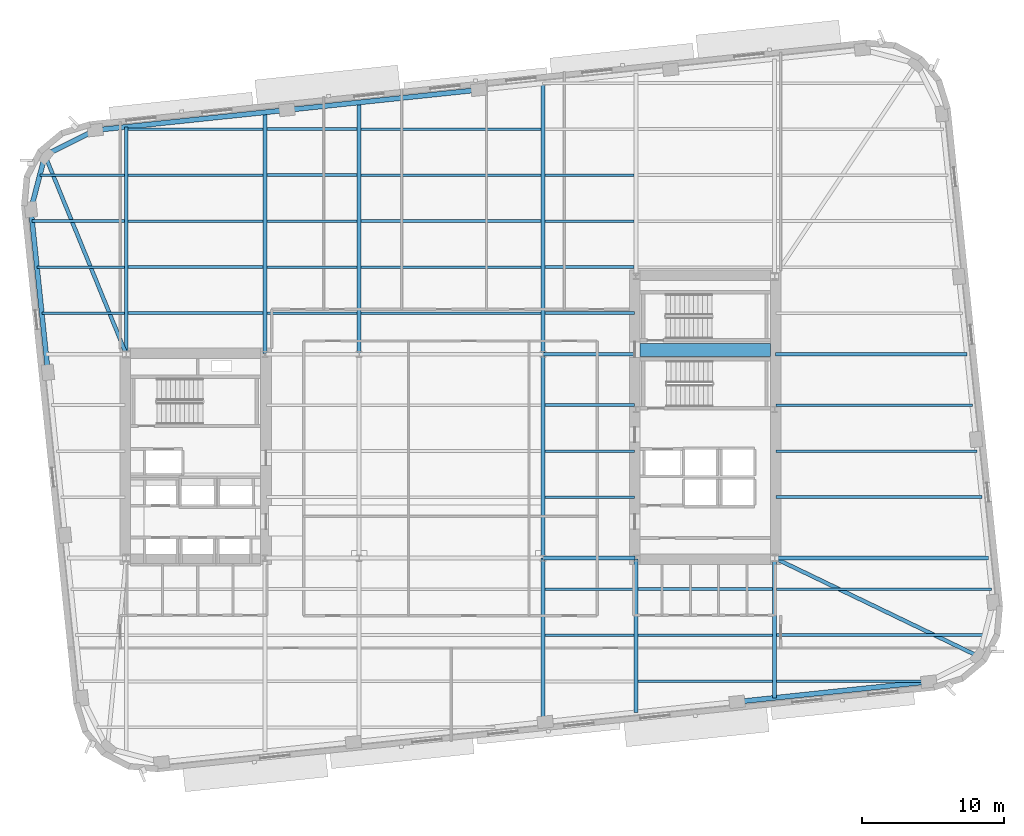
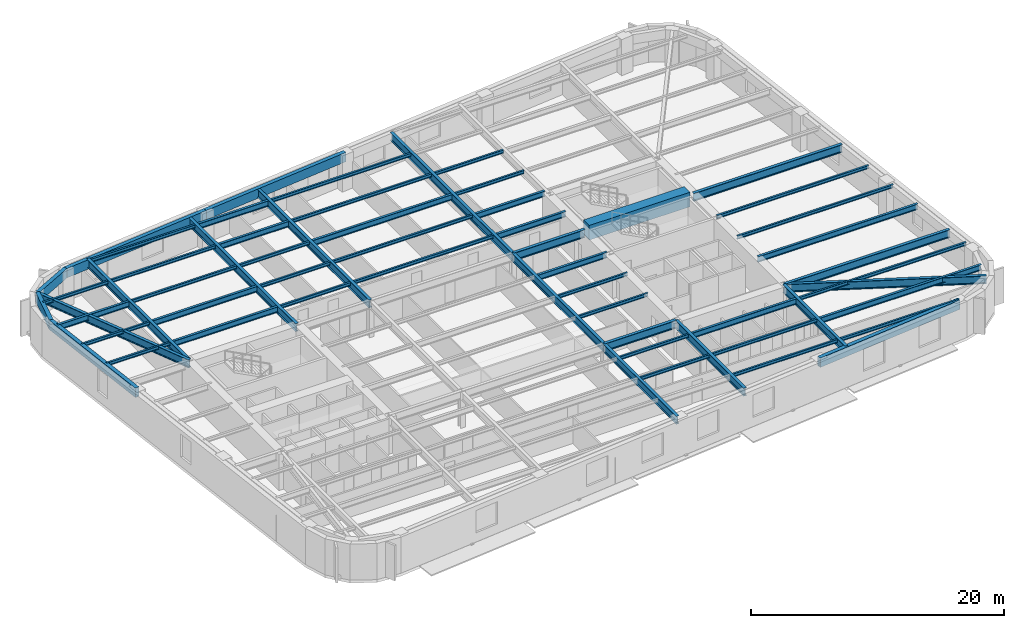
# One storey, part 2 of 15: 58 beams.
"""IFC4 building model written with IfcOpenShell, lengths in metres."""

from ifc_helpers import new_model, si_unit, direction, frame, origin, origin_2d, place, context, subcontext, project, spatial, rectangle, hollow_rectangle, i_section, extrude, material, material_profile, profile_set, type_object, element, save


model = new_model("IFC4")

# Units and contexts
model_context = context("Model", 3, precision=1e-05, world=origin(), true_north=direction((0.0, 1.0)))
body_context = subcontext(model_context, "Body", "Model", "MODEL_VIEW")
ifc_project = project(units=[si_unit("LENGTHUNIT", "METRE"), si_unit("AREAUNIT", "SQUARE_METRE"), si_unit("VOLUMEUNIT", "CUBIC_METRE"), si_unit("PLANEANGLEUNIT", "RADIAN"), si_unit("MASSUNIT", "GRAM", prefix="KILO")], contexts=[model_context])

# Site, building, storey
site_placement = place(None, origin())
site = spatial("IfcSite", under=ifc_project, at=site_placement, CompositionType="ELEMENT")
building_placement = place(site_placement, origin())
building = spatial("IfcBuilding", under=site, at=building_placement, Name="Kolvaren Arena Tower", CompositionType="ELEMENT")
storey_placement = place(building_placement, frame((0.0, 0.0, 142.0)))
storey = spatial("IfcBuildingStorey", under=building, at=storey_placement, Name="L33", CompositionType="ELEMENT", Elevation=142.0)

# Beams
ifc_material_1 = material(Name="Steel CSA G40.21 350W", Category="steel")
ifc_material_profile_1 = material_profile(ifc_material_1, i_section(OverallWidth=0.2119140625, OverallDepth=0.54296875, WebThickness=0.01318359375, FlangeThickness=0.0244140625, FilletRadius=0.013916015625, at=origin_2d()), Name="W530x150")
ifc_profile_set_1 = profile_set([ifc_material_profile_1], Name="Steel CSA G40.21 350W")
beam_type_1 = type_object("IfcBeamType", Name="BEAM-F1", PredefinedType="BEAM", material=ifc_profile_set_1)
beam_1_placement = place(storey_placement, frame((60.485107421875, 14.0, 3.20849609375), z_axis=(1.0, 0.0, 0.0), x_axis=(0.0, 1.0, 0.0)))
element("IfcBeam", 1, at=beam_1_placement, inside=storey, type_object=beam_type_1, Name="Composite Floor Beam (L33)", PredefinedType="BEAM", context=body_context, shape_type="SweptSolid", body=[
    extrude(i_section(OverallWidth=0.2119140625, OverallDepth=0.54296875, WebThickness=0.01318359375, FlangeThickness=0.0244140625, FilletRadius=0.013916015625, at=origin_2d()), origin(), (0.0, 0.0, 1.0), 14.69677734375),
])
beam_2_placement = place(storey_placement, frame((50.68505859375, 17.25, 3.20849609375), z_axis=(1.0, 0.0, 0.0), x_axis=(0.0, 1.0, 0.0)))
element("IfcBeam", 2, at=beam_2_placement, inside=storey, type_object=beam_type_1, Name="Composite Floor Beam (L33)", PredefinedType="BEAM", context=body_context, shape_type="SweptSolid", body=[
    extrude(i_section(OverallWidth=0.2119140625, OverallDepth=0.54296875, WebThickness=0.01318359375, FlangeThickness=0.0244140625, FilletRadius=0.013916015625, at=origin_2d()), origin(), (0.0, 0.0, 1.0), 9.530029296875),
])
beam_3_placement = place(storey_placement, frame((60.445068359375, 23.75, 3.20849609375), z_axis=(1.0, 0.0, 0.0), x_axis=(0.0, 1.0, 0.0)))
element("IfcBeam", 3, at=beam_3_placement, inside=storey, type_object=beam_type_1, Name="Composite Floor Beam (L33)", PredefinedType="BEAM", context=body_context, shape_type="SweptSolid", body=[
    extrude(i_section(OverallWidth=0.2119140625, OverallDepth=0.54296875, WebThickness=0.01318359375, FlangeThickness=0.0244140625, FilletRadius=0.013916015625, at=origin_2d()), origin(), (0.0, 0.0, 1.0), 14.56103515625),
])
beam_4_placement = place(storey_placement, frame((44.135009765625, 30.25, 3.20849609375), z_axis=(1.0, 0.0, 0.0), x_axis=(0.0, 1.0, 0.0)))
element("IfcBeam", 4, at=beam_4_placement, inside=storey, type_object=beam_type_1, Name="Composite Floor Beam (L33)", PredefinedType="BEAM", context=body_context, shape_type="SweptSolid", body=[
    extrude(i_section(OverallWidth=0.2119140625, OverallDepth=0.54296875, WebThickness=0.01318359375, FlangeThickness=0.0244140625, FilletRadius=0.013916015625, at=origin_2d()), origin(), (0.0, 0.0, 1.0), 6.320068359375),
])
beam_5_placement = place(storey_placement, frame((14.68505859375, 36.75, 3.20849609375), z_axis=(1.0, 0.0, 0.0), x_axis=(0.0, 1.0, 0.0)))
element("IfcBeam", 5, at=beam_5_placement, inside=storey, type_object=beam_type_1, Name="Composite Floor Beam (L33)", PredefinedType="BEAM", context=body_context, shape_type="SweptSolid", body=[
    extrude(i_section(OverallWidth=0.2119140625, OverallDepth=0.54296875, WebThickness=0.01318359375, FlangeThickness=0.0244140625, FilletRadius=0.013916015625, at=origin_2d()), origin(), (0.0, 0.0, 1.0), 9.530029296875),
])
beam_6_placement = place(storey_placement, frame((44.135009765625, 36.75, 3.20849609375), z_axis=(1.0, 0.0, 0.0), x_axis=(0.0, 1.0, 0.0)))
element("IfcBeam", 6, at=beam_6_placement, inside=storey, type_object=beam_type_1, Name="Composite Floor Beam (L33)", PredefinedType="BEAM", context=body_context, shape_type="SweptSolid", body=[
    extrude(i_section(OverallWidth=0.2119140625, OverallDepth=0.54296875, WebThickness=0.01318359375, FlangeThickness=0.0244140625, FilletRadius=0.013916015625, at=origin_2d()), origin(), (0.0, 0.0, 1.0), 6.320068359375),
])
beam_7_placement = place(storey_placement, frame((14.68505859375, 40.0, 3.20849609375), z_axis=(1.0, 0.0, 0.0), x_axis=(0.0, 1.0, 0.0)))
element("IfcBeam", 7, at=beam_7_placement, inside=storey, type_object=beam_type_1, Name="Composite Floor Beam (L33)", PredefinedType="BEAM", context=body_context, shape_type="SweptSolid", body=[
    extrude(i_section(OverallWidth=0.2119140625, OverallDepth=0.54296875, WebThickness=0.01318359375, FlangeThickness=0.0244140625, FilletRadius=0.013916015625, at=origin_2d()), origin(), (0.0, 0.0, 1.0), 9.530029296875),
])
beam_8_placement = place(storey_placement, frame((44.135009765625, 40.0, 3.20849609375), z_axis=(1.0, 0.0, 0.0), x_axis=(0.0, 1.0, 0.0)))
element("IfcBeam", 8, at=beam_8_placement, inside=storey, type_object=beam_type_1, Name="Composite Floor Beam (L33)", PredefinedType="BEAM", context=body_context, shape_type="SweptSolid", body=[
    extrude(i_section(OverallWidth=0.2119140625, OverallDepth=0.54296875, WebThickness=0.01318359375, FlangeThickness=0.0244140625, FilletRadius=0.013916015625, at=origin_2d()), origin(), (0.0, 0.0, 1.0), 6.280029296875),
])
beam_9_placement = place(storey_placement, frame((7.900146484375, 43.25, 3.20849609375), z_axis=(1.0, 0.0, 0.0), x_axis=(0.0, 1.0, 0.0)))
element("IfcBeam", 9, at=beam_9_placement, inside=storey, type_object=beam_type_1, Name="Composite Floor Beam (L33)", PredefinedType="BEAM", context=body_context, shape_type="SweptSolid", body=[
    extrude(i_section(OverallWidth=0.2119140625, OverallDepth=0.54296875, WebThickness=0.01318359375, FlangeThickness=0.0244140625, FilletRadius=0.013916015625, at=origin_2d()), origin(), (0.0, 0.0, 1.0), 6.514892578125),
])
beam_10_placement = place(storey_placement, frame((31.135009765625, 43.25, 3.20849609375), z_axis=(1.0, 0.0, 0.0), x_axis=(0.0, 1.0, 0.0)))
element("IfcBeam", 10, at=beam_10_placement, inside=storey, type_object=beam_type_1, Name="Composite Floor Beam (L33)", PredefinedType="BEAM", context=body_context, shape_type="SweptSolid", body=[
    extrude(i_section(OverallWidth=0.2119140625, OverallDepth=0.54296875, WebThickness=0.01318359375, FlangeThickness=0.0244140625, FilletRadius=0.013916015625, at=origin_2d()), origin(), (0.0, 0.0, 1.0), 12.72998046875),
])
for number, where, z_axis, x_axis, name in (
    (11, (24.485107421875, 46.5, 3.20849609375), (1.0, 0.0, 0.0), (0.0, 1.0, 0.0), "Composite Floor Beam (L33)"),
    (12, (24.485107421875, 49.75, 3.20849609375), (1.0, 0.0, 0.0), (0.0, 1.0, 0.0), "Composite Floor Beam (L33)"),
):
    element("IfcBeam", number, at=place(storey_placement, frame(where, z_axis=z_axis, x_axis=x_axis)), inside=storey, type_object=beam_type_1, Name=name, PredefinedType="BEAM", context=body_context, shape_type="SweptSolid", body=[
        extrude(i_section(OverallWidth=0.2119140625, OverallDepth=0.54296875, WebThickness=0.01318359375, FlangeThickness=0.0244140625, FilletRadius=0.013916015625, at=origin_2d()), origin(), (0.0, 0.0, 1.0), 6.3798828125),
    ])
ifc_material_2 = material(Name="Concrete 75 MPa", Category="concrete")
ifc_material_profile_2 = material_profile(ifc_material_2, rectangle(XDim=0.89990234375, YDim=1.39990234375, at=origin_2d()), Name="RC-900x1400")
ifc_profile_set_2 = profile_set([ifc_material_profile_2], Name="Concrete 75 MPa")
beam_type_2 = type_object("IfcBeamType", Name="CB-CORE-1", PredefinedType="BEAM", material=ifc_profile_set_2)
beam_11_placement = place(storey_placement, frame((50.85009765625, 34.14990234375, 3.050048828125), z_axis=(1.0, 0.0, 0.0), x_axis=(0.0, 1.0, 0.0)))
element("IfcBeam", 13, at=beam_11_placement, inside=storey, type_object=beam_type_2, Name="East Core Coupling Beam (L33)", PredefinedType="BEAM", context=body_context, shape_type="SweptSolid", body=[
    extrude(rectangle(XDim=0.89990234375, YDim=1.39990234375, at=origin_2d()), origin(), (0.0, 0.0, 1.0), 9.199951171875),
])
ifc_material_profile_3 = material_profile(ifc_material_1, i_section(OverallWidth=0.27001953125, OverallDepth=0.77294921875, WebThickness=0.019287109375, FlangeThickness=0.033447265625, FilletRadius=0.01806640625, at=origin_2d()), Name="W760x257")
ifc_profile_set_3 = profile_set([ifc_material_profile_3], Name="Steel CSA G40.21 350W")
beam_type_3 = type_object("IfcBeamType", Name="GIRD-T1", PredefinedType="BEAM", material=ifc_profile_set_3)
beam_12_placement = place(storey_placement, frame((74.790283203125, 12.49267578125, 3.093505859375), z_axis=(-0.900889626424, 0.43404824732, 0.0), x_axis=(-0.43404824732, -0.900889626424, 0.0)))
element("IfcBeam", 14, at=beam_12_placement, inside=storey, type_object=beam_type_3, Name="Corner Diagonal Tie Girder (L33)", PredefinedType="BEAM", context=body_context, shape_type="SweptSolid", body=[
    extrude(i_section(OverallWidth=0.27001953125, OverallDepth=0.77294921875, WebThickness=0.019287109375, FlangeThickness=0.033447265625, FilletRadius=0.01806640625, at=origin_2d()), origin(), (0.0, 0.0, 1.0), 16.02880859375),
])
beam_13_placement = place(storey_placement, frame((8.8095703125, 47.9072265625, 3.093505859375), z_axis=(0.378059288681, -0.925781385772, 0.0), x_axis=(0.925781385772, 0.378059288681, 0.0)))
element("IfcBeam", 15, at=beam_13_placement, inside=storey, type_object=beam_type_3, Name="Corner Diagonal Tie Girder (L33)", PredefinedType="BEAM", context=body_context, shape_type="SweptSolid", body=[
    extrude(i_section(OverallWidth=0.27001953125, OverallDepth=0.77294921875, WebThickness=0.019287109375, FlangeThickness=0.033447265625, FilletRadius=0.01806640625, at=origin_2d()), origin(), (0.0, 0.0, 1.0), 15.18408203125),
])
beam_14_placement = place(storey_placement, frame((44.0, 19.449951171875, 3.093505859375), z_axis=(1.0, 0.0, 0.0), x_axis=(0.0, 1.0, 0.0)))
element("IfcBeam", 16, at=beam_14_placement, inside=storey, type_object=beam_type_3, Name="Primary Floor Girder (L33)", PredefinedType="BEAM", context=body_context, shape_type="SweptSolid", body=[
    extrude(i_section(OverallWidth=0.27001953125, OverallDepth=0.77294921875, WebThickness=0.019287109375, FlangeThickness=0.033447265625, FilletRadius=0.01806640625, at=origin_2d()), origin(), (0.0, 0.0, 1.0), 6.4951171875),
])
beam_15_placement = place(storey_placement, frame((60.405029296875, 19.449951171875, 3.093505859375), z_axis=(1.0, 0.0, 0.0), x_axis=(0.0, 1.0, 0.0)))
element("IfcBeam", 17, at=beam_15_placement, inside=storey, type_object=beam_type_3, Name="Primary Floor Girder (L33)", PredefinedType="BEAM", context=body_context, shape_type="SweptSolid", body=[
    extrude(i_section(OverallWidth=0.27001953125, OverallDepth=0.77294921875, WebThickness=0.019287109375, FlangeThickness=0.033447265625, FilletRadius=0.01806640625, at=origin_2d()), origin(), (0.0, 0.0, 1.0), 15.052978515625),
])
beam_16_placement = place(storey_placement, frame((44.0, 33.85009765625, 3.093505859375), z_axis=(1.0, 0.0, 0.0), x_axis=(0.0, 1.0, 0.0)))
element("IfcBeam", 18, at=beam_16_placement, inside=storey, type_object=beam_type_3, Name="Primary Floor Girder (L33)", PredefinedType="BEAM", context=body_context, shape_type="SweptSolid", body=[
    extrude(i_section(OverallWidth=0.27001953125, OverallDepth=0.77294921875, WebThickness=0.019287109375, FlangeThickness=0.033447265625, FilletRadius=0.01806640625, at=origin_2d()), origin(), (0.0, 0.0, 1.0), 6.4951171875),
])
beam_17_placement = place(storey_placement, frame((60.405029296875, 33.85009765625, 3.093505859375), z_axis=(1.0, 0.0, 0.0), x_axis=(0.0, 1.0, 0.0)))
element("IfcBeam", 19, at=beam_17_placement, inside=storey, type_object=beam_type_3, Name="Primary Floor Girder (L33)", PredefinedType="BEAM", context=body_context, shape_type="SweptSolid", body=[
    extrude(i_section(OverallWidth=0.27001953125, OverallDepth=0.77294921875, WebThickness=0.019287109375, FlangeThickness=0.033447265625, FilletRadius=0.01806640625, at=origin_2d()), origin(), (0.0, 0.0, 1.0), 13.53955078125),
])
beam_18_placement = place(storey_placement, frame((14.550048828125, 33.905029296875, 3.093505859375), z_axis=(0.0, 1.0, 0.0), x_axis=(-1.0, 0.0, 0.0)))
element("IfcBeam", 20, at=beam_18_placement, inside=storey, type_object=beam_type_3, Name="Primary Floor Girder (L33)", PredefinedType="BEAM", context=body_context, shape_type="SweptSolid", body=[
    extrude(i_section(OverallWidth=0.27001953125, OverallDepth=0.77294921875, WebThickness=0.019287109375, FlangeThickness=0.033447265625, FilletRadius=0.01806640625, at=origin_2d()), origin(), (0.0, 0.0, 1.0), 16.004638671875),
])
beam_19_placement = place(storey_placement, frame((24.35009765625, 33.905029296875, 3.093505859375), z_axis=(0.0, 1.0, 0.0), x_axis=(-1.0, 0.0, 0.0)))
element("IfcBeam", 21, at=beam_19_placement, inside=storey, type_object=beam_type_3, Name="Primary Floor Girder (L33)", PredefinedType="BEAM", context=body_context, shape_type="SweptSolid", body=[
    extrude(i_section(OverallWidth=0.27001953125, OverallDepth=0.77294921875, WebThickness=0.019287109375, FlangeThickness=0.033447265625, FilletRadius=0.01806640625, at=origin_2d()), origin(), (0.0, 0.0, 1.0), 17.03466796875),
])
beam_20_placement = place(storey_placement, frame((31.0, 33.85009765625, 3.093505859375), z_axis=(0.0, 1.0, 0.0), x_axis=(-1.0, 0.0, 0.0)))
element("IfcBeam", 22, at=beam_20_placement, inside=storey, type_object=beam_type_3, Name="Primary Floor Girder (L33)", PredefinedType="BEAM", context=body_context, shape_type="SweptSolid", body=[
    extrude(i_section(OverallWidth=0.27001953125, OverallDepth=0.77294921875, WebThickness=0.019287109375, FlangeThickness=0.033447265625, FilletRadius=0.01806640625, at=origin_2d()), origin(), (0.0, 0.0, 1.0), 17.788330078125),
])
beam_21_placement = place(storey_placement, frame((44.0, 7.857666015625, 3.093505859375), z_axis=(0.0, 1.0, 0.0), x_axis=(-1.0, 0.0, 0.0)))
element("IfcBeam", 23, at=beam_21_placement, inside=storey, type_object=beam_type_3, Name="Primary Floor Girder (L33)", PredefinedType="BEAM", context=body_context, shape_type="SweptSolid", body=[
    extrude(i_section(OverallWidth=0.27001953125, OverallDepth=0.77294921875, WebThickness=0.019287109375, FlangeThickness=0.033447265625, FilletRadius=0.01806640625, at=origin_2d()), origin(), (0.0, 0.0, 1.0), 11.59228515625),
])
beam_22_placement = place(storey_placement, frame((44.0, 19.449951171875, 3.093505859375), z_axis=(0.0, 1.0, 0.0), x_axis=(-1.0, 0.0, 0.0)))
element("IfcBeam", 24, at=beam_22_placement, inside=storey, type_object=beam_type_3, Name="Primary Floor Girder (L33)", PredefinedType="BEAM", context=body_context, shape_type="SweptSolid", body=[
    extrude(i_section(OverallWidth=0.27001953125, OverallDepth=0.77294921875, WebThickness=0.019287109375, FlangeThickness=0.033447265625, FilletRadius=0.01806640625, at=origin_2d()), origin(), (0.0, 0.0, 1.0), 14.400146484375),
])
beam_23_placement = place(storey_placement, frame((44.0, 33.85009765625, 3.093505859375), z_axis=(0.0, 1.0, 0.0), x_axis=(-1.0, 0.0, 0.0)))
element("IfcBeam", 25, at=beam_23_placement, inside=storey, type_object=beam_type_3, Name="Primary Floor Girder (L33)", PredefinedType="BEAM", context=body_context, shape_type="SweptSolid", body=[
    extrude(i_section(OverallWidth=0.27001953125, OverallDepth=0.77294921875, WebThickness=0.019287109375, FlangeThickness=0.033447265625, FilletRadius=0.01806640625, at=origin_2d()), origin(), (0.0, 0.0, 1.0), 19.15478515625),
])
beam_24_placement = place(storey_placement, frame((50.550048828125, 8.5458984375, 3.093505859375), z_axis=(0.0, 1.0, 0.0), x_axis=(-1.0, 0.0, 0.0)))
element("IfcBeam", 26, at=beam_24_placement, inside=storey, type_object=beam_type_3, Name="Primary Floor Girder (L33)", PredefinedType="BEAM", context=body_context, shape_type="SweptSolid", body=[
    extrude(i_section(OverallWidth=0.27001953125, OverallDepth=0.77294921875, WebThickness=0.019287109375, FlangeThickness=0.033447265625, FilletRadius=0.01806640625, at=origin_2d()), origin(), (0.0, 0.0, 1.0), 10.84912109375),
])
beam_25_placement = place(storey_placement, frame((60.35009765625, 9.575927734375, 3.093505859375), z_axis=(0.0, 1.0, 0.0), x_axis=(-1.0, 0.0, 0.0)))
element("IfcBeam", 27, at=beam_25_placement, inside=storey, type_object=beam_type_3, Name="Primary Floor Girder (L33)", PredefinedType="BEAM", context=body_context, shape_type="SweptSolid", body=[
    extrude(i_section(OverallWidth=0.27001953125, OverallDepth=0.77294921875, WebThickness=0.019287109375, FlangeThickness=0.033447265625, FilletRadius=0.01806640625, at=origin_2d()), origin(), (0.0, 0.0, 1.0), 9.819091796875),
])
ifc_material_profile_4 = material_profile(ifc_material_1, i_section(OverallWidth=0.1669921875, OverallDepth=0.31689453125, WebThickness=0.007568359375, FlangeThickness=0.01318359375, FilletRadius=0.010009765625, at=origin_2d()), Name="W310x52")
ifc_profile_set_4 = profile_set([ifc_material_profile_4], Name="Steel CSA G40.21 350W")
beam_type_4 = type_object("IfcBeamType", Name="JOIST-02", PredefinedType="JOIST", material=ifc_profile_set_4)
beam_26_placement = place(storey_placement, frame((50.68505859375, 10.75, 3.321533203125), z_axis=(1.0, 0.0, 0.0), x_axis=(0.0, 1.0, 0.0)))
element("IfcBeam", 28, at=beam_26_placement, inside=storey, type_object=beam_type_4, Name="Composite Floor Joist (L33)", PredefinedType="JOIST", context=body_context, shape_type="SweptSolid", body=[
    extrude(i_section(OverallWidth=0.1669921875, OverallDepth=0.31689453125, WebThickness=0.007568359375, FlangeThickness=0.01318359375, FilletRadius=0.010009765625, at=origin_2d()), origin(), (0.0, 0.0, 1.0), 9.530029296875),
])
beam_27_placement = place(storey_placement, frame((60.485107421875, 10.75, 3.321533203125), z_axis=(1.0, 0.0, 0.0), x_axis=(0.0, 1.0, 0.0)))
element("IfcBeam", 29, at=beam_27_placement, inside=storey, type_object=beam_type_4, Name="Composite Floor Joist (L33)", PredefinedType="JOIST", context=body_context, shape_type="SweptSolid", body=[
    extrude(i_section(OverallWidth=0.1669921875, OverallDepth=0.31689453125, WebThickness=0.007568359375, FlangeThickness=0.01318359375, FilletRadius=0.010009765625, at=origin_2d()), origin(), (0.0, 0.0, 1.0), 10.819580078125),
])
beam_28_placement = place(storey_placement, frame((44.135009765625, 14.0, 3.321533203125), z_axis=(1.0, 0.0, 0.0), x_axis=(0.0, 1.0, 0.0)))
element("IfcBeam", 30, at=beam_28_placement, inside=storey, type_object=beam_type_4, Name="Composite Floor Joist (L33)", PredefinedType="JOIST", context=body_context, shape_type="SweptSolid", body=[
    extrude(i_section(OverallWidth=0.1669921875, OverallDepth=0.31689453125, WebThickness=0.007568359375, FlangeThickness=0.01318359375, FilletRadius=0.010009765625, at=origin_2d()), origin(), (0.0, 0.0, 1.0), 6.280029296875),
])
beam_29_placement = place(storey_placement, frame((50.68505859375, 14.0, 3.321533203125), z_axis=(1.0, 0.0, 0.0), x_axis=(0.0, 1.0, 0.0)))
element("IfcBeam", 31, at=beam_29_placement, inside=storey, type_object=beam_type_4, Name="Composite Floor Joist (L33)", PredefinedType="JOIST", context=body_context, shape_type="SweptSolid", body=[
    extrude(i_section(OverallWidth=0.1669921875, OverallDepth=0.31689453125, WebThickness=0.007568359375, FlangeThickness=0.01318359375, FilletRadius=0.010009765625, at=origin_2d()), origin(), (0.0, 0.0, 1.0), 9.530029296875),
])
beam_30_placement = place(storey_placement, frame((44.135009765625, 17.25, 3.321533203125), z_axis=(1.0, 0.0, 0.0), x_axis=(0.0, 1.0, 0.0)))
element("IfcBeam", 32, at=beam_30_placement, inside=storey, type_object=beam_type_4, Name="Composite Floor Joist (L33)", PredefinedType="JOIST", context=body_context, shape_type="SweptSolid", body=[
    extrude(i_section(OverallWidth=0.1669921875, OverallDepth=0.31689453125, WebThickness=0.007568359375, FlangeThickness=0.01318359375, FilletRadius=0.010009765625, at=origin_2d()), origin(), (0.0, 0.0, 1.0), 6.280029296875),
])
beam_31_placement = place(storey_placement, frame((60.485107421875, 17.25, 3.321533203125), z_axis=(1.0, 0.0, 0.0), x_axis=(0.0, 1.0, 0.0)))
element("IfcBeam", 33, at=beam_31_placement, inside=storey, type_object=beam_type_4, Name="Composite Floor Joist (L33)", PredefinedType="JOIST", context=body_context, shape_type="SweptSolid", body=[
    extrude(i_section(OverallWidth=0.1669921875, OverallDepth=0.31689453125, WebThickness=0.007568359375, FlangeThickness=0.01318359375, FilletRadius=0.010009765625, at=origin_2d()), origin(), (0.0, 0.0, 1.0), 15.2041015625),
])
for number, where, z_axis, x_axis, name in (
    (34, (44.135009765625, 23.75, 3.321533203125), (1.0, 0.0, 0.0), (0.0, 1.0, 0.0), "Composite Floor Joist (L33)"),
    (35, (44.135009765625, 27.0, 3.321533203125), (1.0, 0.0, 0.0), (0.0, 1.0, 0.0), "Composite Floor Joist (L33)"),
):
    element("IfcBeam", number, at=place(storey_placement, frame(where, z_axis=z_axis, x_axis=x_axis)), inside=storey, type_object=beam_type_4, Name=name, PredefinedType="JOIST", context=body_context, shape_type="SweptSolid", body=[
        extrude(i_section(OverallWidth=0.1669921875, OverallDepth=0.31689453125, WebThickness=0.007568359375, FlangeThickness=0.01318359375, FilletRadius=0.010009765625, at=origin_2d()), origin(), (0.0, 0.0, 1.0), 6.320068359375),
    ])
beam_32_placement = place(storey_placement, frame((60.445068359375, 27.0, 3.321533203125), z_axis=(1.0, 0.0, 0.0), x_axis=(0.0, 1.0, 0.0)))
element("IfcBeam", 36, at=beam_32_placement, inside=storey, type_object=beam_type_4, Name="Composite Floor Joist (L33)", PredefinedType="JOIST", context=body_context, shape_type="SweptSolid", body=[
    extrude(i_section(OverallWidth=0.1669921875, OverallDepth=0.31689453125, WebThickness=0.007568359375, FlangeThickness=0.01318359375, FilletRadius=0.010009765625, at=origin_2d()), origin(), (0.0, 0.0, 1.0), 14.219482421875),
])
beam_33_placement = place(storey_placement, frame((60.445068359375, 30.25, 3.321533203125), z_axis=(1.0, 0.0, 0.0), x_axis=(0.0, 1.0, 0.0)))
element("IfcBeam", 37, at=beam_33_placement, inside=storey, type_object=beam_type_4, Name="Composite Floor Joist (L33)", PredefinedType="JOIST", context=body_context, shape_type="SweptSolid", body=[
    extrude(i_section(OverallWidth=0.1669921875, OverallDepth=0.31689453125, WebThickness=0.007568359375, FlangeThickness=0.01318359375, FilletRadius=0.010009765625, at=origin_2d()), origin(), (0.0, 0.0, 1.0), 13.8779296875),
])
beam_34_placement = place(storey_placement, frame((8.58349609375, 36.75, 3.321533203125), z_axis=(1.0, 0.0, 0.0), x_axis=(0.0, 1.0, 0.0)))
element("IfcBeam", 38, at=beam_34_placement, inside=storey, type_object=beam_type_4, Name="Composite Floor Joist (L33)", PredefinedType="JOIST", context=body_context, shape_type="SweptSolid", body=[
    extrude(i_section(OverallWidth=0.1669921875, OverallDepth=0.31689453125, WebThickness=0.007568359375, FlangeThickness=0.01318359375, FilletRadius=0.010009765625, at=origin_2d()), origin(), (0.0, 0.0, 1.0), 5.83154296875),
])
beam_35_placement = place(storey_placement, frame((24.485107421875, 36.75, 3.321533203125), z_axis=(1.0, 0.0, 0.0), x_axis=(0.0, 1.0, 0.0)))
element("IfcBeam", 39, at=beam_35_placement, inside=storey, type_object=beam_type_4, Name="Composite Floor Joist (L33)", PredefinedType="JOIST", context=body_context, shape_type="SweptSolid", body=[
    extrude(i_section(OverallWidth=0.1669921875, OverallDepth=0.31689453125, WebThickness=0.007568359375, FlangeThickness=0.01318359375, FilletRadius=0.010009765625, at=origin_2d()), origin(), (0.0, 0.0, 1.0), 6.3798828125),
])
beam_36_placement = place(storey_placement, frame((31.135009765625, 36.75, 3.321533203125), z_axis=(1.0, 0.0, 0.0), x_axis=(0.0, 1.0, 0.0)))
element("IfcBeam", 40, at=beam_36_placement, inside=storey, type_object=beam_type_4, Name="Composite Floor Joist (L33)", PredefinedType="JOIST", context=body_context, shape_type="SweptSolid", body=[
    extrude(i_section(OverallWidth=0.1669921875, OverallDepth=0.31689453125, WebThickness=0.007568359375, FlangeThickness=0.01318359375, FilletRadius=0.010009765625, at=origin_2d()), origin(), (0.0, 0.0, 1.0), 12.72998046875),
])
beam_37_placement = place(storey_placement, frame((8.24169921875, 40.0, 3.321533203125), z_axis=(1.0, 0.0, 0.0), x_axis=(0.0, 1.0, 0.0)))
element("IfcBeam", 41, at=beam_37_placement, inside=storey, type_object=beam_type_4, Name="Composite Floor Joist (L33)", PredefinedType="JOIST", context=body_context, shape_type="SweptSolid", body=[
    extrude(i_section(OverallWidth=0.1669921875, OverallDepth=0.31689453125, WebThickness=0.007568359375, FlangeThickness=0.01318359375, FilletRadius=0.010009765625, at=origin_2d()), origin(), (0.0, 0.0, 1.0), 6.17333984375),
])
beam_38_placement = place(storey_placement, frame((24.485107421875, 40.0, 3.321533203125), z_axis=(1.0, 0.0, 0.0), x_axis=(0.0, 1.0, 0.0)))
element("IfcBeam", 42, at=beam_38_placement, inside=storey, type_object=beam_type_4, Name="Composite Floor Joist (L33)", PredefinedType="JOIST", context=body_context, shape_type="SweptSolid", body=[
    extrude(i_section(OverallWidth=0.1669921875, OverallDepth=0.31689453125, WebThickness=0.007568359375, FlangeThickness=0.01318359375, FilletRadius=0.010009765625, at=origin_2d()), origin(), (0.0, 0.0, 1.0), 6.3798828125),
])
beam_39_placement = place(storey_placement, frame((31.135009765625, 40.0, 3.321533203125), z_axis=(1.0, 0.0, 0.0), x_axis=(0.0, 1.0, 0.0)))
element("IfcBeam", 43, at=beam_39_placement, inside=storey, type_object=beam_type_4, Name="Composite Floor Joist (L33)", PredefinedType="JOIST", context=body_context, shape_type="SweptSolid", body=[
    extrude(i_section(OverallWidth=0.1669921875, OverallDepth=0.31689453125, WebThickness=0.007568359375, FlangeThickness=0.01318359375, FilletRadius=0.010009765625, at=origin_2d()), origin(), (0.0, 0.0, 1.0), 12.72998046875),
])
beam_40_placement = place(storey_placement, frame((14.68505859375, 43.25, 3.321533203125), z_axis=(1.0, 0.0, 0.0), x_axis=(0.0, 1.0, 0.0)))
element("IfcBeam", 44, at=beam_40_placement, inside=storey, type_object=beam_type_4, Name="Composite Floor Joist (L33)", PredefinedType="JOIST", context=body_context, shape_type="SweptSolid", body=[
    extrude(i_section(OverallWidth=0.1669921875, OverallDepth=0.31689453125, WebThickness=0.007568359375, FlangeThickness=0.01318359375, FilletRadius=0.010009765625, at=origin_2d()), origin(), (0.0, 0.0, 1.0), 9.530029296875),
])
beam_41_placement = place(storey_placement, frame((24.485107421875, 43.25, 3.321533203125), z_axis=(1.0, 0.0, 0.0), x_axis=(0.0, 1.0, 0.0)))
element("IfcBeam", 45, at=beam_41_placement, inside=storey, type_object=beam_type_4, Name="Composite Floor Joist (L33)", PredefinedType="JOIST", context=body_context, shape_type="SweptSolid", body=[
    extrude(i_section(OverallWidth=0.1669921875, OverallDepth=0.31689453125, WebThickness=0.007568359375, FlangeThickness=0.01318359375, FilletRadius=0.010009765625, at=origin_2d()), origin(), (0.0, 0.0, 1.0), 6.3798828125),
])
beam_42_placement = place(storey_placement, frame((44.135009765625, 43.25, 3.321533203125), z_axis=(1.0, 0.0, 0.0), x_axis=(0.0, 1.0, 0.0)))
element("IfcBeam", 46, at=beam_42_placement, inside=storey, type_object=beam_type_4, Name="Composite Floor Joist (L33)", PredefinedType="JOIST", context=body_context, shape_type="SweptSolid", body=[
    extrude(i_section(OverallWidth=0.1669921875, OverallDepth=0.31689453125, WebThickness=0.007568359375, FlangeThickness=0.01318359375, FilletRadius=0.010009765625, at=origin_2d()), origin(), (0.0, 0.0, 1.0), 6.280029296875),
])
beam_43_placement = place(storey_placement, frame((8.444091796875, 46.5, 3.321533203125), z_axis=(1.0, 0.0, 0.0), x_axis=(0.0, 1.0, 0.0)))
element("IfcBeam", 47, at=beam_43_placement, inside=storey, type_object=beam_type_4, Name="Composite Floor Joist (L33)", PredefinedType="JOIST", context=body_context, shape_type="SweptSolid", body=[
    extrude(i_section(OverallWidth=0.1669921875, OverallDepth=0.31689453125, WebThickness=0.007568359375, FlangeThickness=0.01318359375, FilletRadius=0.010009765625, at=origin_2d()), origin(), (0.0, 0.0, 1.0), 5.970947265625),
])
beam_44_placement = place(storey_placement, frame((14.68505859375, 46.5, 3.321533203125), z_axis=(1.0, 0.0, 0.0), x_axis=(0.0, 1.0, 0.0)))
element("IfcBeam", 48, at=beam_44_placement, inside=storey, type_object=beam_type_4, Name="Composite Floor Joist (L33)", PredefinedType="JOIST", context=body_context, shape_type="SweptSolid", body=[
    extrude(i_section(OverallWidth=0.1669921875, OverallDepth=0.31689453125, WebThickness=0.007568359375, FlangeThickness=0.01318359375, FilletRadius=0.010009765625, at=origin_2d()), origin(), (0.0, 0.0, 1.0), 9.530029296875),
])
beam_45_placement = place(storey_placement, frame((31.135009765625, 46.5, 3.321533203125), z_axis=(1.0, 0.0, 0.0), x_axis=(0.0, 1.0, 0.0)))
element("IfcBeam", 49, at=beam_45_placement, inside=storey, type_object=beam_type_4, Name="Composite Floor Joist (L33)", PredefinedType="JOIST", context=body_context, shape_type="SweptSolid", body=[
    extrude(i_section(OverallWidth=0.1669921875, OverallDepth=0.31689453125, WebThickness=0.007568359375, FlangeThickness=0.01318359375, FilletRadius=0.010009765625, at=origin_2d()), origin(), (0.0, 0.0, 1.0), 12.72998046875),
])
beam_46_placement = place(storey_placement, frame((44.135009765625, 46.5, 3.321533203125), z_axis=(1.0, 0.0, 0.0), x_axis=(0.0, 1.0, 0.0)))
element("IfcBeam", 50, at=beam_46_placement, inside=storey, type_object=beam_type_4, Name="Composite Floor Joist (L33)", PredefinedType="JOIST", context=body_context, shape_type="SweptSolid", body=[
    extrude(i_section(OverallWidth=0.1669921875, OverallDepth=0.31689453125, WebThickness=0.007568359375, FlangeThickness=0.01318359375, FilletRadius=0.010009765625, at=origin_2d()), origin(), (0.0, 0.0, 1.0), 6.280029296875),
])
beam_47_placement = place(storey_placement, frame((14.68505859375, 49.75, 3.321533203125), z_axis=(1.0, 0.0, 0.0), x_axis=(0.0, 1.0, 0.0)))
element("IfcBeam", 51, at=beam_47_placement, inside=storey, type_object=beam_type_4, Name="Composite Floor Joist (L33)", PredefinedType="JOIST", context=body_context, shape_type="SweptSolid", body=[
    extrude(i_section(OverallWidth=0.1669921875, OverallDepth=0.31689453125, WebThickness=0.007568359375, FlangeThickness=0.01318359375, FilletRadius=0.010009765625, at=origin_2d()), origin(), (0.0, 0.0, 1.0), 9.530029296875),
])
beam_48_placement = place(storey_placement, frame((31.135009765625, 49.75, 3.321533203125), z_axis=(1.0, 0.0, 0.0), x_axis=(0.0, 1.0, 0.0)))
element("IfcBeam", 52, at=beam_48_placement, inside=storey, type_object=beam_type_4, Name="Composite Floor Joist (L33)", PredefinedType="JOIST", context=body_context, shape_type="SweptSolid", body=[
    extrude(i_section(OverallWidth=0.1669921875, OverallDepth=0.31689453125, WebThickness=0.007568359375, FlangeThickness=0.01318359375, FilletRadius=0.010009765625, at=origin_2d()), origin(), (0.0, 0.0, 1.0), 12.72998046875),
])
ifc_material_3 = material(Name="Steel CSA G40.21 350WT", Category="steel")
ifc_material_profile_5 = material_profile(ifc_material_3, hollow_rectangle(XDim=0.35009765625, YDim=0.89990234375, WallThickness=0.02001953125, at=origin_2d()), Name="HSS 900x350x20")
ifc_profile_set_5 = profile_set([ifc_material_profile_5], Name="Steel CSA G40.21 350WT")
beam_type_5 = type_object("IfcBeamType", Name="SPAND-01", PredefinedType="SPANDREL", material=ifc_profile_set_5)
for number, where, z_axis, x_axis, name in (
    (53, (57.697021484375, 9.297119140625, 3.030029296875), (0.994520955135, 0.104537408603, 0.0), (-0.104537408603, 0.994520955135, 0.0), "Perimeter Spandrel Beam (L33)"),
    (54, (39.453369140625, 52.527099609375, 3.030029296875), (-0.994520955135, -0.104537408603, 0.0), (0.104537408603, -0.994520955135, 0.0), "Perimeter Spandrel Beam (L33)"),
):
    element("IfcBeam", number, at=place(storey_placement, frame(where, z_axis=z_axis, x_axis=x_axis)), inside=storey, type_object=beam_type_5, Name=name, PredefinedType="SPANDREL", context=body_context, shape_type="SweptSolid", body=[
        extrude(hollow_rectangle(XDim=0.35009765625, YDim=0.89990234375, WallThickness=0.02001953125, at=origin_2d()), origin(), (0.0, 0.0, 1.0), 13.625),
    ])
beam_49_placement = place(storey_placement, frame((25.903076171875, 51.102783203125, 3.030029296875), z_axis=(-0.994523013632, -0.104517823154, 0.0), x_axis=(0.104517823154, -0.994523013632, 0.0)))
element("IfcBeam", 55, at=beam_49_placement, inside=storey, type_object=beam_type_5, Name="Perimeter Spandrel Beam (L33)", PredefinedType="SPANDREL", context=body_context, shape_type="SweptSolid", body=[
    extrude(hollow_rectangle(XDim=0.35009765625, YDim=0.89990234375, WallThickness=0.02001953125, at=origin_2d()), origin(), (0.0, 0.0, 1.0), 13.625244140625),
])
beam_50_placement = place(storey_placement, frame((12.3525390625, 49.6787109375, 3.030029296875), z_axis=(-0.894427191, -0.4472135955, 0.0), x_axis=(0.4472135955, -0.894427191, 0.0)))
element("IfcBeam", 56, at=beam_50_placement, inside=storey, type_object=beam_type_5, Name="Perimeter Spandrel Beam (L33)", PredefinedType="SPANDREL", context=body_context, shape_type="SweptSolid", body=[
    extrude(hollow_rectangle(XDim=0.35009765625, YDim=0.89990234375, WallThickness=0.02001953125, at=origin_2d()), origin(), (0.0, 0.0, 1.0), 3.961181640625),
])
beam_51_placement = place(storey_placement, frame((8.8095703125, 47.9072265625, 3.030029296875), z_axis=(-0.25141561169, -0.96787922294, 0.0), x_axis=(0.96787922294, -0.25141561169, 0.0)))
element("IfcBeam", 57, at=beam_51_placement, inside=storey, type_object=beam_type_5, Name="Perimeter Spandrel Beam (L33)", PredefinedType="SPANDREL", context=body_context, shape_type="SweptSolid", body=[
    extrude(hollow_rectangle(XDim=0.35009765625, YDim=0.89990234375, WallThickness=0.02001953125, at=origin_2d()), origin(), (0.0, 0.0, 1.0), 3.9609375),
])
beam_52_placement = place(storey_placement, frame((7.813720703125, 44.073486328125, 3.030029296875), z_axis=(0.104524366116, -0.994522325988, 0.0), x_axis=(0.994522325988, 0.104524366116, 0.0)))
element("IfcBeam", 58, at=beam_52_placement, inside=storey, type_object=beam_type_5, Name="Perimeter Spandrel Beam (L33)", PredefinedType="SPANDREL", context=body_context, shape_type="SweptSolid", body=[
    extrude(hollow_rectangle(XDim=0.35009765625, YDim=0.89990234375, WallThickness=0.02001953125, at=origin_2d()), origin(), (0.0, 0.0, 1.0), 11.566650390625),
])

save(model, "model.ifc")
